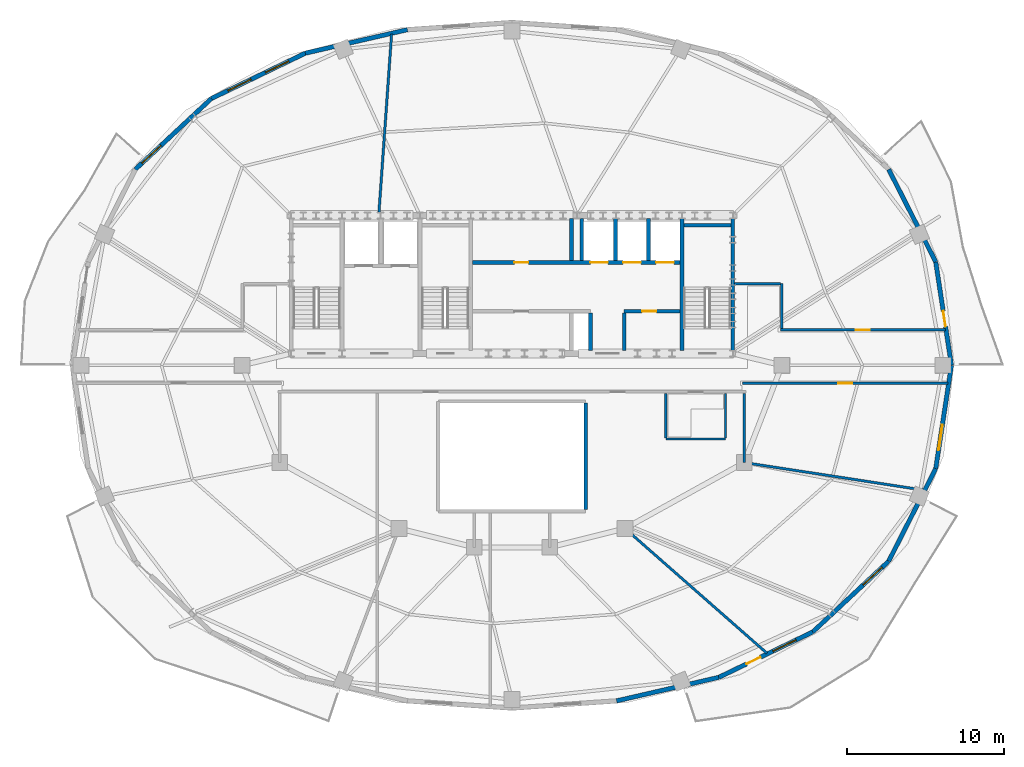
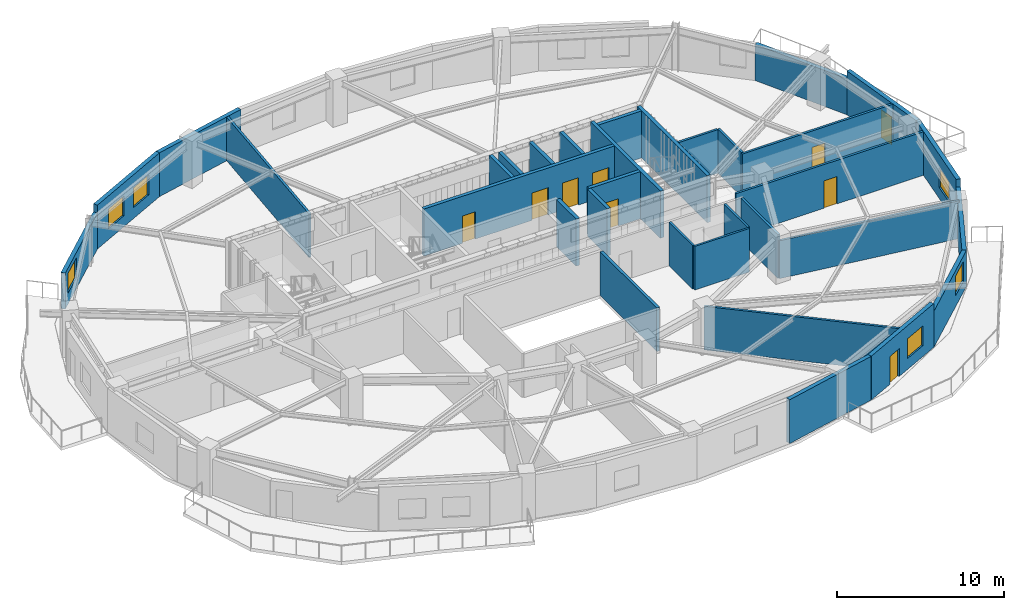
# One storey, part 5 of 11: 33 walls, 9 doors, 6 windows, 15 openings.
"""IFC4 building model written with IfcOpenShell, lengths in metres."""

from ifc_helpers import new_model, si_unit, direction, frame, frame_2d, origin, place, context, subcontext, project, spatial, rectangle, extrude, material, layer, layer_set, type_object, element, fill, save


model = new_model("IFC4")

# Units and contexts
model_context = context("Model", 3, precision=1e-05, world=origin(), true_north=direction((0.0, 1.0)))
body_context = subcontext(model_context, "Body", "Model", "MODEL_VIEW")
ifc_project = project(units=[si_unit("LENGTHUNIT", "METRE"), si_unit("AREAUNIT", "SQUARE_METRE"), si_unit("VOLUMEUNIT", "CUBIC_METRE"), si_unit("PLANEANGLEUNIT", "RADIAN"), si_unit("MASSUNIT", "GRAM", prefix="KILO")], contexts=[model_context])

# Site, building, storey
site_placement = place(None, origin())
site = spatial("IfcSite", under=ifc_project, at=site_placement, CompositionType="ELEMENT")
building_placement = place(site_placement, origin())
building = spatial("IfcBuilding", under=site, at=building_placement, Name="Haldorwick Loom Tower", CompositionType="ELEMENT")
storey_placement = place(building_placement, frame((0.0, 0.0, 230.550048828125)))
storey = spatial("IfcBuildingStorey", under=building, at=storey_placement, Name="L62", CompositionType="ELEMENT", Elevation=230.550048828125)

# Wall, opening, door
ifc_material_1 = material(Name="Pressed Clay Face Brick and Insulated Masonry Backup Assembly", Category="masonry")
ifc_layer_1 = layer(ifc_material_1, 0.280029296875, Name="Pressed Clay Face Brick and Insulated Masonry Backup Assembly", Category="masonry")
ifc_layer_set_1 = layer_set([ifc_layer_1], Name="Pressed Clay Face Brick and Insulated Masonry Backup Assembly")
wall_type_1 = type_object("IfcWallType", Name="ARC-WL-EXT280", PredefinedType="STANDARD", material=ifc_layer_set_1)
wall_1_placement = place(storey_placement, frame((64.00634765625, 26.0, 0.0), z_axis=(0.0, 0.0, 1.0), x_axis=(-0.150467697578, 0.988614926038, 0.0)))
wall_1 = element("IfcWall", 1, at=wall_1_placement, inside=storey, type_object=wall_type_1, Name="L62 Brick Pier and Spandrel Wall 1", PredefinedType="STANDARD", context=body_context, shape_type="SweptSolid", body=[
    extrude(rectangle(XDim=6.66064453125, YDim=0.280029296875, at=frame_2d((3.330322265625, 0.0))), origin(), (0.0, 0.0, 1.0), 3.2099609375),
])
opening_1_placement = place(wall_1_placement, frame((2.500244140625, 0.0, 0.0)))
opening_1 = element("IfcOpeningElement", 2, at=opening_1_placement, cuts=wall_1, Name="Opening D-BL10", PredefinedType="OPENING", context=body_context, shape_type="SweptSolid", body=[
    extrude(rectangle(XDim=1.0, YDim=2.0400390625, at=frame_2d((0.5, 1.02001953125))), frame((0.0, 0.14990234375, 0.0), z_axis=(0.0, -1.0, 0.0), x_axis=(1.0, 0.0, 0.0)), (0.0, 0.0, 1.0), 0.300048828125),
])
ifc_material_2 = material(Name="Thermally Broken Anodized Aluminium Curtain Wall Framing", Category="aluminium")
door_type_1 = type_object("IfcDoorType", Name="ARC-DR-BAL100", OperationType="NOTDEFINED", PredefinedType="DOOR", material=ifc_material_2)
door_1_placement = place(opening_1_placement, origin())
door_1 = element("IfcDoor", 3, at=door_1_placement, inside=storey, type_object=door_type_1, Name="L62 Outdoor Terrace Door SLB-L62-BAL_ENE", OperationType="SINGLE_SWING_RIGHT", OverallHeight=2.0400390625, OverallWidth=1.0, PredefinedType="DOOR", context=body_context, shape_type="SweptSolid", body=[
    extrude(rectangle(XDim=1.0, YDim=2.0400390625, at=frame_2d((0.5, 1.02001953125))), frame((0.0, 0.02490234375, 0.0), z_axis=(0.0, -1.0, 0.0), x_axis=(1.0, 0.0, 0.0)), (0.0, 0.0, 1.0), 0.050048828125),
])
fill(opening_1, door_1)

# Walls
wall_2_placement = place(storey_placement, frame((63.004150390625, 32.584716796875, 0.0), z_axis=(0.0, 0.0, 1.0), x_axis=(-0.453032066879, 0.89149422117, 0.0)))
element("IfcWall", 4, at=wall_2_placement, inside=storey, type_object=wall_type_1, Name="L62 Brick Pier and Spandrel Wall 2", PredefinedType="STANDARD", context=body_context, shape_type="SweptSolid", body=[
    extrude(rectangle(XDim=6.618896484375, YDim=0.280029296875, at=frame_2d((3.3095703125, 0.0))), origin(), (0.0, 0.0, 1.0), 2.640869140625),
])
wall_3_placement = place(storey_placement, frame((29.334716796875, 47.38720703125, 0.0), z_axis=(0.0, 0.0, 1.0), x_axis=(-0.974557343474, -0.224138315065, 0.0)))
element("IfcWall", 5, at=wall_3_placement, inside=storey, type_object=wall_type_1, Name="L62 Brick Pier and Spandrel Wall 8", PredefinedType="STANDARD", context=body_context, shape_type="SweptSolid", body=[
    extrude(rectangle(XDim=6.676025390625, YDim=0.280029296875, at=frame_2d((3.337890625, 0.0))), origin(), (0.0, 0.0, 1.0), 3.2099609375),
])

# Wall, openings, windows
wall_4_placement = place(storey_placement, frame((22.82861328125, 45.890869140625, 0.0), z_axis=(0.0, 0.0, 1.0), x_axis=(-0.900371236029, -0.435122554381, 0.0)))
wall_4 = element("IfcWall", 6, at=wall_4_placement, inside=storey, type_object=wall_type_1, Name="L62 Brick Pier and Spandrel Wall 9", PredefinedType="STANDARD", context=body_context, shape_type="SweptSolid", body=[
    extrude(rectangle(XDim=6.6533203125, YDim=0.280029296875, at=frame_2d((3.32666015625, 0.0))), origin(), (0.0, 0.0, 1.0), 3.2099609375),
])
opening_2_placement = place(wall_4_placement, frame((1.1708984375, 0.0, 0.800048828125)))
opening_2 = element("IfcOpeningElement", 7, at=opening_2_placement, cuts=wall_4, Name="Opening W-01B", PredefinedType="OPENING", context=body_context, shape_type="SweptSolid", body=[
    extrude(rectangle(XDim=1.64990234375, YDim=1.449951171875, at=frame_2d((0.824951171875, 0.72509765625))), frame((0.0, 0.14990234375, 0.0), z_axis=(0.0, -1.0, 0.0), x_axis=(1.0, 0.0, 0.0)), (0.0, 0.0, 1.0), 0.300048828125),
])
opening_3_placement = place(wall_4_placement, frame((3.832275390625, 0.0, 0.800048828125)))
opening_3 = element("IfcOpeningElement", 8, at=opening_3_placement, cuts=wall_4, Name="Opening W-01B", PredefinedType="OPENING", context=body_context, shape_type="SweptSolid", body=[
    extrude(rectangle(XDim=1.64990234375, YDim=1.449951171875, at=frame_2d((0.824951171875, 0.72509765625))), frame((0.0, 0.14990234375, 0.0), z_axis=(0.0, -1.0, 0.0), x_axis=(1.0, 0.0, 0.0)), (0.0, 0.0, 1.0), 0.300048828125),
])
ifc_material_3 = material(Name="Triple-Glazed Low-E Argon Insulated Glazing Unit", Category="glass")
window_type = type_object("IfcWindowType", Name="ARC-WIN-W165", PartitioningType="SINGLE_PANEL", PredefinedType="WINDOW", material=ifc_material_3)
window_1_placement = place(opening_2_placement, origin())
window_1 = element("IfcWindow", 9, at=window_1_placement, inside=storey, type_object=window_type, Name="L62 Deep-Set Zone 7A Window 9", OverallHeight=1.449951171875, OverallWidth=1.64990234375, PartitioningType="SINGLE_PANEL", PredefinedType="WINDOW", context=body_context, shape_type="SweptSolid", body=[
    extrude(rectangle(XDim=1.64990234375, YDim=1.449951171875, at=frame_2d((0.824951171875, 0.72509765625))), frame((0.0, 0.030029296875, 0.0), z_axis=(0.0, -1.0, 0.0), x_axis=(1.0, 0.0, 0.0)), (0.0, 0.0, 1.0), 0.06005859375),
])
fill(opening_2, window_1)
window_2_placement = place(opening_3_placement, origin())
window_2 = element("IfcWindow", 10, at=window_2_placement, inside=storey, type_object=window_type, Name="L62 Deep-Set Zone 7A Window 9", OverallHeight=1.449951171875, OverallWidth=1.64990234375, PartitioningType="SINGLE_PANEL", PredefinedType="WINDOW", context=body_context, shape_type="SweptSolid", body=[
    extrude(rectangle(XDim=1.64990234375, YDim=1.449951171875, at=frame_2d((0.824951171875, 0.72509765625))), frame((0.0, 0.030029296875, 0.0), z_axis=(0.0, -1.0, 0.0), x_axis=(1.0, 0.0, 0.0)), (0.0, 0.0, 1.0), 0.06005859375),
])
fill(opening_3, window_2)

# Wall, opening, window
wall_5_placement = place(storey_placement, frame((16.838134765625, 42.995849609375, 0.0), z_axis=(0.0, 0.0, 1.0), x_axis=(-0.731833707499, -0.681483253329, 0.0)))
wall_5 = element("IfcWall", 11, at=wall_5_placement, inside=storey, type_object=wall_type_1, Name="L62 Brick Pier and Spandrel Wall 10", PredefinedType="STANDARD", context=body_context, shape_type="SweptSolid", body=[
    extrude(rectangle(XDim=6.61865234375, YDim=0.280029296875, at=frame_2d((3.309326171875, 0.0))), origin(), (0.0, 0.0, 1.0), 2.640869140625),
])
opening_4_placement = place(wall_5_placement, frame((4.38720703125, 0.0, 0.800048828125)))
opening_4 = element("IfcOpeningElement", 12, at=opening_4_placement, cuts=wall_5, Name="Opening W-01B", PredefinedType="OPENING", context=body_context, shape_type="SweptSolid", body=[
    extrude(rectangle(XDim=1.64990234375, YDim=1.449951171875, at=frame_2d((0.824951171875, 0.72509765625))), frame((0.0, 0.14990234375, 0.0), z_axis=(0.0, -1.0, 0.0), x_axis=(1.0, 0.0, 0.0)), (0.0, 0.0, 1.0), 0.300048828125),
])
window_3_placement = place(opening_4_placement, origin())
window_3 = element("IfcWindow", 13, at=window_3_placement, inside=storey, type_object=window_type, Name="L62 Deep-Set Zone 7A Window 10", OverallHeight=1.449951171875, OverallWidth=1.64990234375, PartitioningType="SINGLE_PANEL", PredefinedType="WINDOW", context=body_context, shape_type="SweptSolid", body=[
    extrude(rectangle(XDim=1.64990234375, YDim=1.449951171875, at=frame_2d((0.824951171875, 0.72509765625))), frame((0.0, 0.030029296875, 0.0), z_axis=(0.0, -1.0, 0.0), x_axis=(1.0, 0.0, 0.0)), (0.0, 0.0, 1.0), 0.06005859375),
])
fill(opening_4, window_3)

# Wall
wall_6_placement = place(storey_placement, frame((42.665283203125, 4.61279296875, 0.0), z_axis=(0.0, 0.0, 1.0), x_axis=(0.974557343474, 0.224138315065, 0.0)))
element("IfcWall", 14, at=wall_6_placement, inside=storey, type_object=wall_type_1, Name="L62 Brick Pier and Spandrel Wall 20", PredefinedType="STANDARD", context=body_context, shape_type="SweptSolid", body=[
    extrude(rectangle(XDim=6.676025390625, YDim=0.280029296875, at=frame_2d((3.337890625, 0.0))), origin(), (0.0, 0.0, 1.0), 3.2099609375),
])

# Wall, openings, door, window
wall_7_placement = place(storey_placement, frame((49.17138671875, 6.109130859375, 0.0), z_axis=(0.0, 0.0, 1.0), x_axis=(0.900371236029, 0.435122554381, 0.0)))
wall_7 = element("IfcWall", 15, at=wall_7_placement, inside=storey, type_object=wall_type_1, Name="L62 Brick Pier and Spandrel Wall 21", PredefinedType="STANDARD", context=body_context, shape_type="SweptSolid", body=[
    extrude(rectangle(XDim=6.6533203125, YDim=0.280029296875, at=frame_2d((3.32666015625, 0.0))), origin(), (0.0, 0.0, 1.0), 3.2099609375),
])
opening_5_placement = place(wall_7_placement, frame((1.96435546875, 0.0, 0.0)))
opening_5 = element("IfcOpeningElement", 16, at=opening_5_placement, cuts=wall_7, Name="Opening D-BL10", PredefinedType="OPENING", context=body_context, shape_type="SweptSolid", body=[
    extrude(rectangle(XDim=1.0, YDim=2.0400390625, at=frame_2d((0.5, 1.02001953125))), frame((0.0, 0.14990234375, 0.0), z_axis=(0.0, -1.0, 0.0), x_axis=(1.0, 0.0, 0.0)), (0.0, 0.0, 1.0), 0.300048828125),
])
opening_6_placement = place(wall_7_placement, frame((3.832275390625, 0.0, 0.800048828125)))
opening_6 = element("IfcOpeningElement", 17, at=opening_6_placement, cuts=wall_7, Name="Opening W-01B", PredefinedType="OPENING", context=body_context, shape_type="SweptSolid", body=[
    extrude(rectangle(XDim=1.64990234375, YDim=1.449951171875, at=frame_2d((0.824951171875, 0.72509765625))), frame((0.0, 0.14990234375, 0.0), z_axis=(0.0, -1.0, 0.0), x_axis=(1.0, 0.0, 0.0)), (0.0, 0.0, 1.0), 0.300048828125),
])
door_2_placement = place(opening_5_placement, origin())
door_2 = element("IfcDoor", 18, at=door_2_placement, inside=storey, type_object=door_type_1, Name="L62 Outdoor Terrace Door SLB-L62-BAL_SE", OperationType="SINGLE_SWING_RIGHT", OverallHeight=2.0400390625, OverallWidth=1.0, PredefinedType="DOOR", context=body_context, shape_type="SweptSolid", body=[
    extrude(rectangle(XDim=1.0, YDim=2.0400390625, at=frame_2d((0.5, 1.02001953125))), frame((0.0, 0.02490234375, 0.0), z_axis=(0.0, -1.0, 0.0), x_axis=(1.0, 0.0, 0.0)), (0.0, 0.0, 1.0), 0.050048828125),
])
fill(opening_5, door_2)
window_4_placement = place(opening_6_placement, origin())
window_4 = element("IfcWindow", 19, at=window_4_placement, inside=storey, type_object=window_type, Name="L62 Deep-Set Zone 7A Window 21", OverallHeight=1.449951171875, OverallWidth=1.64990234375, PartitioningType="SINGLE_PANEL", PredefinedType="WINDOW", context=body_context, shape_type="SweptSolid", body=[
    extrude(rectangle(XDim=1.64990234375, YDim=1.449951171875, at=frame_2d((0.824951171875, 0.72509765625))), frame((0.0, 0.030029296875, 0.0), z_axis=(0.0, -1.0, 0.0), x_axis=(1.0, 0.0, 0.0)), (0.0, 0.0, 1.0), 0.06005859375),
])
fill(opening_6, window_4)

# Wall, opening, window
wall_8_placement = place(storey_placement, frame((55.161865234375, 9.004150390625, 0.0), z_axis=(0.0, 0.0, 1.0), x_axis=(0.731833707499, 0.681483253329, 0.0)))
wall_8 = element("IfcWall", 20, at=wall_8_placement, inside=storey, type_object=wall_type_1, Name="L62 Brick Pier and Spandrel Wall 22", PredefinedType="STANDARD", context=body_context, shape_type="SweptSolid", body=[
    extrude(rectangle(XDim=6.61865234375, YDim=0.280029296875, at=frame_2d((3.309326171875, 0.0))), origin(), (0.0, 0.0, 1.0), 2.640869140625),
])
opening_7_placement = place(wall_8_placement, frame((4.38720703125, 0.0, 0.800048828125)))
opening_7 = element("IfcOpeningElement", 21, at=opening_7_placement, cuts=wall_8, Name="Opening W-01B", PredefinedType="OPENING", context=body_context, shape_type="SweptSolid", body=[
    extrude(rectangle(XDim=1.64990234375, YDim=1.449951171875, at=frame_2d((0.824951171875, 0.72509765625))), frame((0.0, 0.14990234375, 0.0), z_axis=(0.0, -1.0, 0.0), x_axis=(1.0, 0.0, 0.0)), (0.0, 0.0, 1.0), 0.300048828125),
])
window_5_placement = place(opening_7_placement, origin())
window_5 = element("IfcWindow", 22, at=window_5_placement, inside=storey, type_object=window_type, Name="L62 Deep-Set Zone 7A Window 22", OverallHeight=1.449951171875, OverallWidth=1.64990234375, PartitioningType="SINGLE_PANEL", PredefinedType="WINDOW", context=body_context, shape_type="SweptSolid", body=[
    extrude(rectangle(XDim=1.64990234375, YDim=1.449951171875, at=frame_2d((0.824951171875, 0.72509765625))), frame((0.0, 0.030029296875, 0.0), z_axis=(0.0, -1.0, 0.0), x_axis=(1.0, 0.0, 0.0)), (0.0, 0.0, 1.0), 0.06005859375),
])
fill(opening_7, window_5)

# Wall
wall_9_placement = place(storey_placement, frame((60.005615234375, 13.5146484375, 0.0), z_axis=(0.0, 0.0, 1.0), x_axis=(0.453032066879, 0.89149422117, 0.0)))
element("IfcWall", 23, at=wall_9_placement, inside=storey, type_object=wall_type_1, Name="L62 Brick Pier and Spandrel Wall 23", PredefinedType="STANDARD", context=body_context, shape_type="SweptSolid", body=[
    extrude(rectangle(XDim=6.618896484375, YDim=0.280029296875, at=frame_2d((3.3095703125, 0.0))), origin(), (0.0, 0.0, 1.0), 2.640869140625),
])

# Wall, opening, window
wall_10_placement = place(storey_placement, frame((63.004150390625, 19.415283203125, 0.0), z_axis=(0.0, 0.0, 1.0), x_axis=(0.150467697578, 0.988614926038, 0.0)))
wall_10 = element("IfcWall", 24, at=wall_10_placement, inside=storey, type_object=wall_type_1, Name="L62 Brick Pier and Spandrel Wall 24", PredefinedType="STANDARD", context=body_context, shape_type="SweptSolid", body=[
    extrude(rectangle(XDim=6.66064453125, YDim=0.280029296875, at=frame_2d((3.330322265625, 0.0))), origin(), (0.0, 0.0, 1.0), 3.2099609375),
])
opening_8_placement = place(wall_10_placement, frame((1.173095703125, 0.0, 0.800048828125)))
opening_8 = element("IfcOpeningElement", 25, at=opening_8_placement, cuts=wall_10, Name="Opening W-01B", PredefinedType="OPENING", context=body_context, shape_type="SweptSolid", body=[
    extrude(rectangle(XDim=1.64990234375, YDim=1.449951171875, at=frame_2d((0.824951171875, 0.72509765625))), frame((0.0, 0.14990234375, 0.0), z_axis=(0.0, -1.0, 0.0), x_axis=(1.0, 0.0, 0.0)), (0.0, 0.0, 1.0), 0.300048828125),
])
window_6_placement = place(opening_8_placement, origin())
window_6 = element("IfcWindow", 26, at=window_6_placement, inside=storey, type_object=window_type, Name="L62 Deep-Set Zone 7A Window 24", OverallHeight=1.449951171875, OverallWidth=1.64990234375, PartitioningType="SINGLE_PANEL", PredefinedType="WINDOW", context=body_context, shape_type="SweptSolid", body=[
    extrude(rectangle(XDim=1.64990234375, YDim=1.449951171875, at=frame_2d((0.824951171875, 0.72509765625))), frame((0.0, 0.030029296875, 0.0), z_axis=(0.0, -1.0, 0.0), x_axis=(1.0, 0.0, 0.0)), (0.0, 0.0, 1.0), 0.06005859375),
])
fill(opening_8, window_6)

# Wall, opening, door
ifc_material_4 = material(Name="Fire-Rated Type X Gypsum Stud Assembly EI 60")
ifc_layer_2 = layer(ifc_material_4, 0.159912109375, Name="Fire-Rated Type X Gypsum Stud Assembly EI 60")
ifc_layer_set_2 = layer_set([ifc_layer_2], Name="Fire-Rated Type X Gypsum Stud Assembly EI 60")
wall_type_2 = type_object("IfcWallType", Name="ARC-WL-FIRE160", PredefinedType="PARTITIONING", material=ifc_layer_set_2)
wall_11_placement = place(storey_placement, frame((50.699951171875, 24.85009765625, 0.0), z_axis=(0.0, 0.0, 1.0), x_axis=(1.0, 0.0, 0.0)))
wall_11 = element("IfcWall", 27, at=wall_11_placement, inside=storey, type_object=wall_type_2, Name="L62 Residential Fire Partition L62-CR-SPE", PredefinedType="PARTITIONING", context=body_context, shape_type="SweptSolid", body=[
    extrude(rectangle(XDim=13.0859375, YDim=0.159912109375, at=frame_2d((6.54296875, 0.0))), origin(), (0.0, 0.0, 1.0), 3.195068359375),
])
opening_9_placement = place(wall_11_placement, frame((6.093017578125, 0.0, 0.0)))
opening_9 = element("IfcOpeningElement", 28, at=opening_9_placement, cuts=wall_11, Name="Opening D-FD60A", PredefinedType="OPENING", context=body_context, shape_type="SweptSolid", body=[
    extrude(rectangle(XDim=0.89990234375, YDim=2.0, at=frame_2d((0.449951171875, 1.0))), frame((0.0, 0.08984375, 0.0), z_axis=(0.0, -1.0, 0.0), x_axis=(1.0, 0.0, 0.0)), (0.0, 0.0, 1.0), 0.179931640625),
])
ifc_material_5 = material(Name="Hollow Steel Fire Door Assembly", Category="steel")
door_type_2 = type_object("IfcDoorType", Name="ARC-DR-FD60-90", OperationType="NOTDEFINED", PredefinedType="DOOR", material=ifc_material_5)
door_3_placement = place(opening_9_placement, origin())
door_3 = element("IfcDoor", 29, at=door_3_placement, inside=storey, type_object=door_type_2, Name="L62 L62 Central Residential Corridor to Resident Study Room 1 Door", OperationType="SINGLE_SWING_LEFT", OverallHeight=2.0, OverallWidth=0.89990234375, PredefinedType="DOOR", context=body_context, shape_type="SweptSolid", body=[
    extrude(rectangle(XDim=0.89990234375, YDim=2.0, at=frame_2d((0.449951171875, 1.0))), frame((0.0, 0.02490234375, 0.0), z_axis=(0.0, -1.0, 0.0), x_axis=(1.0, 0.0, 0.0)), (0.0, 0.0, 1.0), 0.050048828125),
])
fill(opening_9, door_3)

wall_12_placement = place(storey_placement, frame((53.10009765625, 28.25, 0.0), z_axis=(0.0, 0.0, 1.0), x_axis=(1.0, 0.0, 0.0)))
wall_12 = element("IfcWall", 30, at=wall_12_placement, inside=storey, type_object=wall_type_2, Name="L62 Residential Fire Partition L62-CR-NEL", PredefinedType="PARTITIONING", context=body_context, shape_type="SweptSolid", body=[
    extrude(rectangle(XDim=10.518310546875, YDim=0.159912109375, at=frame_2d((5.25927734375, 0.0))), origin(), (0.0, 0.0, 1.0), 3.195068359375),
])
opening_10_placement = place(wall_12_placement, frame((4.80908203125, 0.0, 0.0)))
opening_10 = element("IfcOpeningElement", 31, at=opening_10_placement, cuts=wall_12, Name="Opening D-FD60A", PredefinedType="OPENING", context=body_context, shape_type="SweptSolid", body=[
    extrude(rectangle(XDim=0.89990234375, YDim=2.0, at=frame_2d((0.449951171875, 1.0))), frame((0.0, 0.08984375, 0.0), z_axis=(0.0, -1.0, 0.0), x_axis=(1.0, 0.0, 0.0)), (0.0, 0.0, 1.0), 0.179931640625),
])
door_4_placement = place(opening_10_placement, frame((0.89990234375, 0.0, 0.0), z_axis=(0.0, 0.0, 1.0), x_axis=(-1.0, 0.0, 0.0)))
door_4 = element("IfcDoor", 32, at=door_4_placement, inside=storey, type_object=door_type_2, Name="L62 Community Library Hall 6 to L62 Central Residential Corridor Door", OperationType="SINGLE_SWING_RIGHT", OverallHeight=2.0, OverallWidth=0.89990234375, PredefinedType="DOOR", context=body_context, shape_type="SweptSolid", body=[
    extrude(rectangle(XDim=0.89990234375, YDim=2.0, at=frame_2d((0.449951171875, 1.0))), frame((0.0, 0.02490234375, 0.0), z_axis=(0.0, -1.0, 0.0), x_axis=(1.0, 0.0, 0.0)), (0.0, 0.0, 1.0), 0.050048828125),
])
fill(opening_10, door_4)

# Walls
wall_13_placement = place(storey_placement, frame((53.199951171875, 28.3330078125, 0.0), z_axis=(0.0, 0.0, 1.0), x_axis=(0.0, 1.0, 0.0)))
element("IfcWall", 33, at=wall_13_placement, inside=storey, type_object=wall_type_2, Name="L62 Residential Fire Partition L62-CR-E0", PredefinedType="PARTITIONING", context=body_context, shape_type="SweptSolid", body=[
    extrude(rectangle(XDim=2.866943359375, YDim=0.159912109375, at=frame_2d((1.43359375, 0.0))), origin(), (0.0, 0.0, 1.0), 3.195068359375),
])
wall_14_placement = place(storey_placement, frame((50.193115234375, 31.199951171875, 0.0), z_axis=(0.0, 0.0, 1.0), x_axis=(1.0, 0.0, 0.0)))
element("IfcWall", 34, at=wall_14_placement, inside=storey, type_object=wall_type_2, Name="L62 Residential Fire Partition L62-CR-ENJ", PredefinedType="PARTITIONING", context=body_context, shape_type="SweptSolid", body=[
    extrude(rectangle(XDim=2.923828125, YDim=0.159912109375, at=frame_2d((1.4619140625, 0.0))), origin(), (0.0, 0.0, 1.0), 3.195068359375),
])
wall_15_placement = place(storey_placement, frame((50.800048828125, 19.800048828125, 0.0), z_axis=(0.0, 0.0, 1.0), x_axis=(0.988414763084, -0.151776994694, 0.0)))
element("IfcWall", 35, at=wall_15_placement, inside=storey, type_object=wall_type_2, Name="L62 Residential Fire Partition L62-ICR-02", PredefinedType="PARTITIONING", context=body_context, shape_type="SweptSolid", body=[
    extrude(rectangle(XDim=11.589599609375, YDim=0.159912109375, at=frame_2d((5.794921875, 0.0))), origin(), (0.0, 0.0, 1.0), 2.77197265625),
])
wall_16_placement = place(storey_placement, frame((43.199951171875, 15.60009765625, 0.0), z_axis=(0.0, 0.0, 1.0), x_axis=(0.751199302963, -0.660075455708, 0.0)))
element("IfcWall", 36, at=wall_16_placement, inside=storey, type_object=wall_type_2, Name="L62 Residential Fire Partition L62-ICR-04", PredefinedType="PARTITIONING", context=body_context, shape_type="SweptSolid", body=[
    extrude(rectangle(XDim=12.04833984375, YDim=0.159912109375, at=frame_2d((6.024169921875, 0.0))), origin(), (0.0, 0.0, 1.0), 3.195068359375),
])
wall_17_placement = place(storey_placement, frame((50.800048828125, 24.217041015625, 0.0), z_axis=(0.0, 0.0, 1.0), x_axis=(0.0, -1.0, 0.0)))
element("IfcWall", 37, at=wall_17_placement, inside=storey, type_object=wall_type_2, Name="L62 Residential Fire Partition L62-ICA-01", PredefinedType="PARTITIONING", context=body_context, shape_type="SweptSolid", body=[
    extrude(rectangle(XDim=4.4169921875, YDim=0.159912109375, at=frame_2d((2.20849609375, 0.0))), origin(), (0.0, 0.0, 1.0), 3.195068359375),
])
wall_18_placement = place(storey_placement, frame((27.521484375, 35.7529296875, 0.0), z_axis=(0.0, 0.0, 1.0), x_axis=(0.070702976907, 0.997497413058, 0.0)))
element("IfcWall", 38, at=wall_18_placement, inside=storey, type_object=wall_type_2, Name="L62 Residential Fire Partition L62-UPN-C3", PredefinedType="PARTITIONING", context=body_context, shape_type="SweptSolid", body=[
    extrude(rectangle(XDim=11.384765625, YDim=0.159912109375, at=frame_2d((5.6923828125, 0.0))), origin(), (0.0, 0.0, 1.0), 3.195068359375),
])
ifc_material_6 = material(Name="Fire-Rated Type X Gypsum Stud Assembly EI 120")
ifc_layer_3 = layer(ifc_material_6, 0.199951171875, Name="Fire-Rated Type X Gypsum Stud Assembly EI 120")
ifc_layer_set_3 = layer_set([ifc_layer_3], Name="Fire-Rated Type X Gypsum Stud Assembly EI 120")
wall_type_3 = type_object("IfcWallType", Name="ARC-WL-FIRE200", PredefinedType="PARTITIONING", material=ifc_layer_set_3)
wall_19_placement = place(storey_placement, frame((40.699951171875, 23.596923828125, 0.0), z_axis=(0.0, 0.0, 1.0), x_axis=(0.0, -1.0, 0.0)))
element("IfcWall", 39, at=wall_19_placement, inside=storey, type_object=wall_type_3, Name="L62 Atrium Fire Enclosure Wall E", PredefinedType="PARTITIONING", context=body_context, shape_type="SweptSolid", body=[
    extrude(rectangle(XDim=6.7939453125, YDim=0.199951171875, at=frame_2d((3.39697265625, 0.0))), origin(), (0.0, 0.0, 1.0), 3.195068359375),
])
ifc_layer_4 = layer(ifc_material_4, 0.139892578125, Name="Fire-Rated Type X Gypsum Stud Assembly EI 60")
ifc_layer_set_4 = layer_set([ifc_layer_4], Name="Fire-Rated Type X Gypsum Stud Assembly EI 60")
wall_type_4 = type_object("IfcWallType", Name="ARC-WL-PART140", PredefinedType="PARTITIONING", material=ifc_layer_set_4)
wall_20_placement = place(storey_placement, frame((45.800048828125, 21.300048828125, 0.0), z_axis=(0.0, 0.0, 1.0), x_axis=(1.0, 0.0, 0.0)))
element("IfcWall", 40, at=wall_20_placement, inside=storey, type_object=wall_type_4, Name="L62 Residential Fire Partition L62-CWC-S", PredefinedType="PARTITIONING", context=body_context, shape_type="SweptSolid", body=[
    extrude(rectangle(XDim=3.800048828125, YDim=0.139892578125, at=frame_2d((1.89990234375, 0.0))), origin(), (0.0, 0.0, 1.0), 3.195068359375),
])
for number, where, z_axis, x_axis, name in (
    (41, (45.800048828125, 21.373046875, 0.0), (0.0, 0.0, 1.0), (0.0, 1.0, 0.0), "L62 Residential Fire Partition L62-CWC-W"),
    (42, (49.60009765625, 21.373046875, 0.0), (0.0, 0.0, 1.0), (0.0, 1.0, 0.0), "L62 Residential Fire Partition L62-CWC-E"),
):
    element("IfcWall", number, at=place(storey_placement, frame(where, z_axis=z_axis, x_axis=x_axis)), inside=storey, type_object=wall_type_4, Name=name, PredefinedType="PARTITIONING", context=body_context, shape_type="SweptSolid", body=[
        extrude(rectangle(XDim=2.843994140625, YDim=0.139892578125, at=frame_2d((1.421875, 0.0))), origin(), (0.0, 0.0, 1.0), 3.195068359375),
    ])
ifc_material_7 = material(Name="Concrete C50 (50 MPa)", Category="concrete")
ifc_layer_5 = layer(ifc_material_7, 0.239990234375, Name="Concrete C50 (50 MPa)", Category="concrete")
ifc_layer_set_5 = layer_set([ifc_layer_5], Name="Concrete C50 (50 MPa)")
wall_type_5 = type_object("IfcWallType", Name="STR-WL-SHAFT240", PredefinedType="SHEAR", material=ifc_layer_set_5)
for number, where, z_axis, x_axis, name in (
    (43, (50.070068359375, 26.952880859375, 0.0), (0.0, 0.0, 1.0), (0.0, 1.0, 0.0), "L62 Core Shear Wall E"),
    (44, (46.830078125, 26.952880859375, 0.0), (0.0, 0.0, 1.0), (0.0, 1.0, 0.0), "L62 Core Shear Wall 4"),
):
    element("IfcWall", number, at=place(storey_placement, frame(where, z_axis=z_axis, x_axis=x_axis)), inside=storey, type_object=wall_type_5, Name=name, PredefinedType="SHEAR", context=body_context, shape_type="SweptSolid", body=[
        extrude(rectangle(XDim=8.39404296875, YDim=0.239990234375, at=frame_2d((4.197021484375, 0.0))), origin(), (0.0, 0.0, 1.0), 3.449951171875),
    ])
wall_21_placement = place(storey_placement, frame((46.952880859375, 34.919921875, 0.0), z_axis=(0.0, 0.0, 1.0), x_axis=(1.0, 0.0, 0.0)))
element("IfcWall", 45, at=wall_21_placement, inside=storey, type_object=wall_type_5, Name="L62 Core Shear Wall 4N", PredefinedType="SHEAR", context=body_context, shape_type="SweptSolid", body=[
    extrude(rectangle(XDim=2.994140625, YDim=0.239990234375, at=frame_2d((1.4970703125, 0.0))), origin(), (0.0, 0.0, 1.0), 3.449951171875),
])

# Wall, openings, doors
wall_22_placement = place(storey_placement, frame((33.492919921875, 32.550048828125, 0.0), z_axis=(0.0, 0.0, 1.0), x_axis=(1.0, 0.0, 0.0)))
wall_22 = element("IfcWall", 46, at=wall_22_placement, inside=storey, type_object=wall_type_5, Name="L62 Core Shear Wall LN", PredefinedType="SHEAR", context=body_context, shape_type="SweptSolid", body=[
    extrude(rectangle(XDim=13.214111328125, YDim=0.239990234375, at=frame_2d((6.60693359375, 0.0))), origin(), (0.0, 0.0, 1.0), 3.449951171875),
])
opening_11_placement = place(wall_22_placement, frame((2.656982421875, 0.0, 0.0)))
opening_11 = element("IfcOpeningElement", 47, at=opening_11_placement, cuts=wall_22, Name="Opening D-FD60A", PredefinedType="OPENING", context=body_context, shape_type="SweptSolid", body=[
    extrude(rectangle(XDim=0.89990234375, YDim=2.0, at=frame_2d((0.449951171875, 1.0))), frame((0.0, 0.1298828125, 0.0), z_axis=(0.0, -1.0, 0.0), x_axis=(1.0, 0.0, 0.0)), (0.0, 0.0, 1.0), 0.260009765625),
])
opening_12_placement = place(wall_22_placement, frame((7.4970703125, 0.0, 0.0)))
opening_12 = element("IfcOpeningElement", 48, at=opening_12_placement, cuts=wall_22, Name="Opening LD-H1", PredefinedType="OPENING", context=body_context, shape_type="SweptSolid", body=[
    extrude(rectangle(XDim=1.1201171875, YDim=2.0, at=frame_2d((0.56005859375, 1.0))), frame((0.0, 0.1298828125, 0.0), z_axis=(0.0, -1.0, 0.0), x_axis=(1.0, 0.0, 0.0)), (0.0, 0.0, 1.0), 0.260009765625),
])
opening_13_placement = place(wall_22_placement, frame((9.596923828125, 0.0, 0.0)))
opening_13 = element("IfcOpeningElement", 49, at=opening_13_placement, cuts=wall_22, Name="Opening LD-H2", PredefinedType="OPENING", context=body_context, shape_type="SweptSolid", body=[
    extrude(rectangle(XDim=1.1201171875, YDim=2.0, at=frame_2d((0.56005859375, 1.0))), frame((0.0, 0.1298828125, 0.0), z_axis=(0.0, -1.0, 0.0), x_axis=(1.0, 0.0, 0.0)), (0.0, 0.0, 1.0), 0.260009765625),
])
opening_14_placement = place(wall_22_placement, frame((11.697021484375, 0.0, 0.0)))
opening_14 = element("IfcOpeningElement", 50, at=opening_14_placement, cuts=wall_22, Name="Opening LD-H3", PredefinedType="OPENING", context=body_context, shape_type="SweptSolid", body=[
    extrude(rectangle(XDim=1.1201171875, YDim=2.0, at=frame_2d((0.56005859375, 1.0))), frame((0.0, 0.1298828125, 0.0), z_axis=(0.0, -1.0, 0.0), x_axis=(1.0, 0.0, 0.0)), (0.0, 0.0, 1.0), 0.260009765625),
])
door_5_placement = place(opening_11_placement, frame((0.89990234375, 0.0, 0.0), z_axis=(0.0, 0.0, 1.0), x_axis=(-1.0, 0.0, 0.0)))
door_5 = element("IfcDoor", 51, at=door_5_placement, inside=storey, type_object=door_type_2, Name="L62 Housekeeping Store Door", OperationType="SINGLE_SWING_LEFT", OverallHeight=2.0, OverallWidth=0.89990234375, PredefinedType="DOOR", context=body_context, shape_type="SweptSolid", body=[
    extrude(rectangle(XDim=0.89990234375, YDim=2.0, at=frame_2d((0.449951171875, 1.0))), frame((0.0, 0.02490234375, 0.0), z_axis=(0.0, -1.0, 0.0), x_axis=(1.0, 0.0, 0.0)), (0.0, 0.0, 1.0), 0.050048828125),
])
fill(opening_11, door_5)
door_type_3 = type_object("IfcDoorType", Name="ARC-DR-LD-PAX", OperationType="NOTDEFINED", PredefinedType="USERDEFINED", material=ifc_material_5)
door_6_placement = place(opening_12_placement, origin())
door_6 = element("IfcDoor", 52, at=door_6_placement, inside=storey, type_object=door_type_3, Name="L62 Lift LF-H1 Sliding Landing Door", ObjectType="LANDING DOOR", OperationType="DOUBLE_DOOR_SLIDING", OverallHeight=2.0, OverallWidth=1.1201171875, PredefinedType="USERDEFINED", context=body_context, shape_type="SweptSolid", body=[
    extrude(rectangle(XDim=1.1201171875, YDim=2.0, at=frame_2d((0.56005859375, 1.0))), frame((0.0, 0.02490234375, 0.0), z_axis=(0.0, -1.0, 0.0), x_axis=(1.0, 0.0, 0.0)), (0.0, 0.0, 1.0), 0.050048828125),
])
fill(opening_12, door_6)
door_7_placement = place(opening_13_placement, origin())
door_7 = element("IfcDoor", 53, at=door_7_placement, inside=storey, type_object=door_type_3, Name="L62 Lift LF-H2 Sliding Landing Door", ObjectType="LANDING DOOR", OperationType="DOUBLE_DOOR_SLIDING", OverallHeight=2.0, OverallWidth=1.1201171875, PredefinedType="USERDEFINED", context=body_context, shape_type="SweptSolid", body=[
    extrude(rectangle(XDim=1.1201171875, YDim=2.0, at=frame_2d((0.56005859375, 1.0))), frame((0.0, 0.02490234375, 0.0), z_axis=(0.0, -1.0, 0.0), x_axis=(1.0, 0.0, 0.0)), (0.0, 0.0, 1.0), 0.050048828125),
])
fill(opening_13, door_7)
door_8_placement = place(opening_14_placement, origin())
door_8 = element("IfcDoor", 54, at=door_8_placement, inside=storey, type_object=door_type_3, Name="L62 Lift LF-H3 Sliding Landing Door", ObjectType="LANDING DOOR", OperationType="DOUBLE_DOOR_SLIDING", OverallHeight=2.0, OverallWidth=1.1201171875, PredefinedType="USERDEFINED", context=body_context, shape_type="SweptSolid", body=[
    extrude(rectangle(XDim=1.1201171875, YDim=2.0, at=frame_2d((0.56005859375, 1.0))), frame((0.0, 0.02490234375, 0.0), z_axis=(0.0, -1.0, 0.0), x_axis=(1.0, 0.0, 0.0)), (0.0, 0.0, 1.0), 0.050048828125),
])
fill(opening_14, door_8)

# Wall, opening, door
wall_23_placement = place(storey_placement, frame((43.14990234375, 29.449951171875, 0.0), z_axis=(0.0, 0.0, 1.0), x_axis=(1.0, 0.0, 0.0)))
wall_23 = element("IfcWall", 55, at=wall_23_placement, inside=storey, type_object=wall_type_5, Name="L62 Core Shear Wall LS2", PredefinedType="SHEAR", context=body_context, shape_type="SweptSolid", body=[
    extrude(rectangle(XDim=3.55712890625, YDim=0.239990234375, at=frame_2d((1.778564453125, 0.0))), origin(), (0.0, 0.0, 1.0), 3.449951171875),
])
opening_15_placement = place(wall_23_placement, frame((1.14990234375, 0.0, 0.0)))
opening_15 = element("IfcOpeningElement", 56, at=opening_15_placement, cuts=wall_23, Name="Opening D-FD60A", PredefinedType="OPENING", context=body_context, shape_type="SweptSolid", body=[
    extrude(rectangle(XDim=0.89990234375, YDim=2.0, at=frame_2d((0.449951171875, 1.0))), frame((0.0, 0.1298828125, 0.0), z_axis=(0.0, -1.0, 0.0), x_axis=(1.0, 0.0, 0.0)), (0.0, 0.0, 1.0), 0.260009765625),
])
door_9_placement = place(opening_15_placement, origin())
door_9 = element("IfcDoor", 57, at=door_9_placement, inside=storey, type_object=door_type_2, Name="L62 Electrical Metering Door", OperationType="SINGLE_SWING_LEFT", OverallHeight=2.0, OverallWidth=0.89990234375, PredefinedType="DOOR", context=body_context, shape_type="SweptSolid", body=[
    extrude(rectangle(XDim=0.89990234375, YDim=2.0, at=frame_2d((0.449951171875, 1.0))), frame((0.0, 0.02490234375, 0.0), z_axis=(0.0, -1.0, 0.0), x_axis=(1.0, 0.0, 0.0)), (0.0, 0.0, 1.0), 0.050048828125),
])
fill(opening_15, door_9)

# Walls
for number, where, z_axis, x_axis, name in (
    (58, (41.0, 26.952880859375, 0.0), (0.0, 0.0, 1.0), (0.0, 1.0, 0.0), "L62 Core Shear Wall THW"),
    (59, (43.14990234375, 26.952880859375, 0.0), (0.0, 0.0, 1.0), (0.0, 1.0, 0.0), "L62 Core Shear Wall THE"),
):
    element("IfcWall", number, at=place(storey_placement, frame(where, z_axis=z_axis, x_axis=x_axis)), inside=storey, type_object=wall_type_5, Name=name, PredefinedType="SHEAR", context=body_context, shape_type="SweptSolid", body=[
        extrude(rectangle(XDim=2.3740234375, YDim=0.239990234375, at=frame_2d((1.18701171875, 0.0))), origin(), (0.0, 0.0, 1.0), 3.449951171875),
    ])
for number, where, z_axis, x_axis, name in (
    (60, (39.800048828125, 32.673095703125, 0.0), (0.0, 0.0, 1.0), (0.0, 1.0, 0.0), "L62 Core Shear Wall LHW"),
    (61, (40.449951171875, 32.673095703125, 0.0), (0.0, 0.0, 1.0), (0.0, 1.0, 0.0), "L62 Core Shear Wall H0"),
    (62, (42.60009765625, 32.673095703125, 0.0), (0.0, 0.0, 1.0), (0.0, 1.0, 0.0), "L62 Core Shear Wall H1"),
    (63, (44.699951171875, 32.673095703125, 0.0), (0.0, 0.0, 1.0), (0.0, 1.0, 0.0), "L62 Core Shear Wall H2"),
):
    element("IfcWall", number, at=place(storey_placement, frame(where, z_axis=z_axis, x_axis=x_axis)), inside=storey, type_object=wall_type_5, Name=name, PredefinedType="SHEAR", context=body_context, shape_type="SweptSolid", body=[
        extrude(rectangle(XDim=2.673828125, YDim=0.239990234375, at=frame_2d((1.3369140625, 0.0))), origin(), (0.0, 0.0, 1.0), 3.449951171875),
    ])

save(model, "model.ifc")
